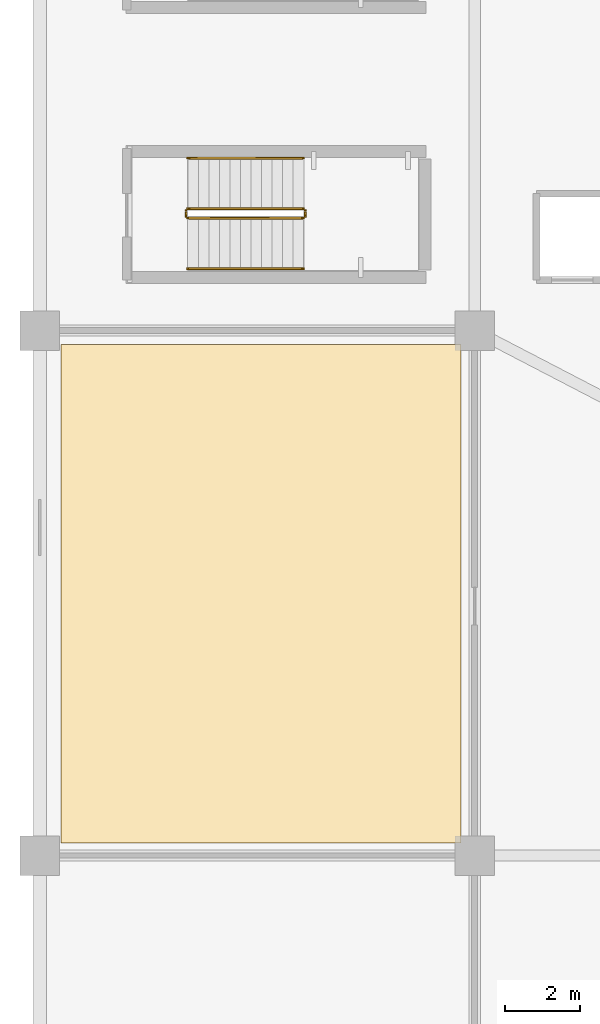
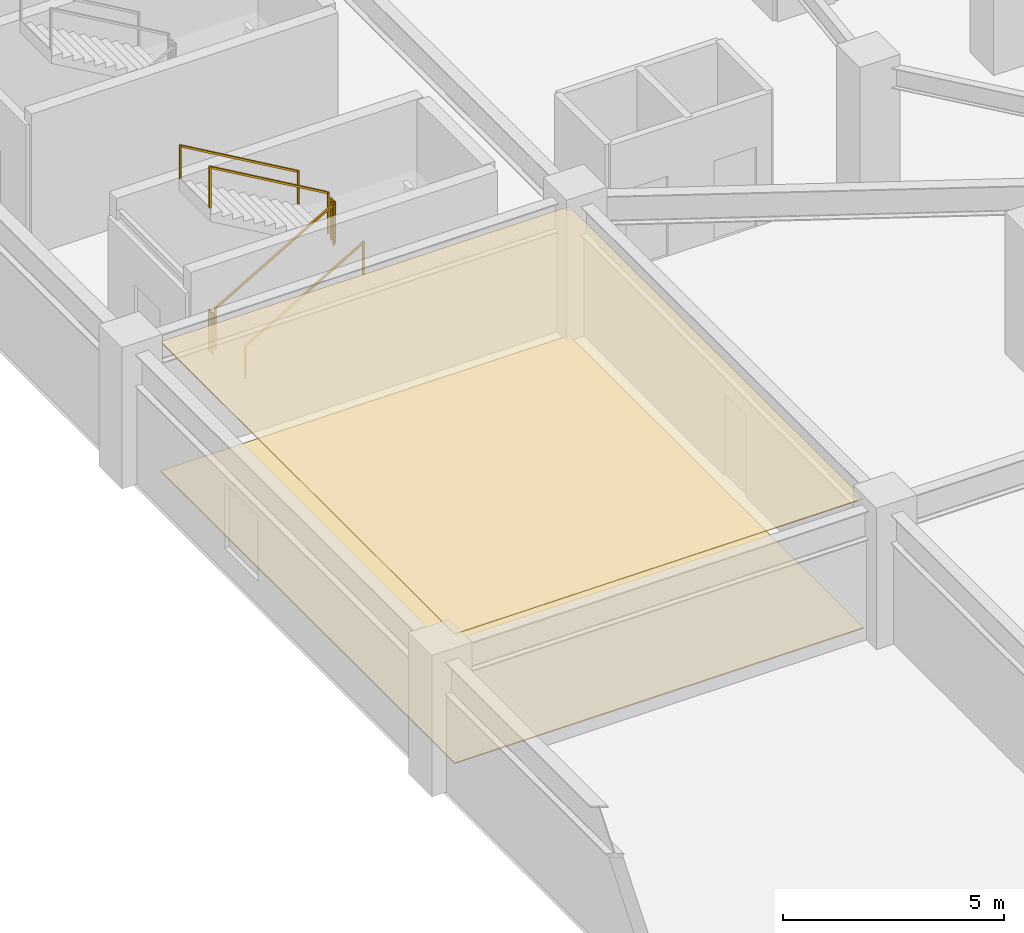
# One storey, part 11 of 15: 6 railings, 2 coverings.
"""IFC4 building model written with IfcOpenShell, lengths in metres."""

from ifc_helpers import new_model, si_unit, direction, frame, origin, origin_2d, place, context, subcontext, project, spatial, polyline, rectangle, outline, extrude, material, layer, layer_set, type_object, element, save


model = new_model("IFC4")

# Units and contexts
model_context = context("Model", 3, precision=1e-05, world=origin(), true_north=direction((0.0, 1.0)))
body_context = subcontext(model_context, "Body", "Model", "MODEL_VIEW")
ifc_project = project(units=[si_unit("LENGTHUNIT", "METRE"), si_unit("AREAUNIT", "SQUARE_METRE"), si_unit("VOLUMEUNIT", "CUBIC_METRE"), si_unit("PLANEANGLEUNIT", "RADIAN"), si_unit("MASSUNIT", "GRAM", prefix="KILO")], contexts=[model_context])

# Site, building, storey
site_placement = place(None, origin())
site = spatial("IfcSite", under=ifc_project, at=site_placement, CompositionType="ELEMENT")
building_placement = place(site_placement, origin())
building = spatial("IfcBuilding", under=site, at=building_placement, Name="Yunling Apex Tower", CompositionType="ELEMENT")
storey_placement = place(building_placement, frame((0.0, 0.0, 8.39990234375)))
storey = spatial("IfcBuildingStorey", under=building, at=storey_placement, Name="L03", CompositionType="ELEMENT", Elevation=8.39990234375)

# Coverings
ifc_material_1 = material(Name="Acoustic mineral fibre ceiling")
ifc_layer_1 = layer(ifc_material_1, 0.02490234375)
ifc_layer_set_1 = layer_set([ifc_layer_1], Name="Acoustic mineral fibre ceiling")
covering_type_1 = type_object("IfcCoveringType", Name="CV-CLG-1", PredefinedType="CEILING", material=ifc_layer_set_1)
covering_1_placement = place(storey_placement, frame((0.0, 0.0, 3.565185546875)))
element("IfcCovering", 1, at=covering_1_placement, inside=storey, type_object=covering_type_1, Name="CV-CL-SP-L03-W2", PredefinedType="CEILING", context=body_context, shape_type="SweptSolid", body=[
    extrude(outline(polyline([(-22.77001953125, 0.340087890625), (-33.429931640625, 0.340087890625), (-33.429931640625, 13.6298828125), (-22.77001953125, 13.6298828125), (-22.77001953125, 0.340087890625)])), origin(), (0.0, 0.0, 1.0), 0.02490234375),
])
ifc_material_2 = material(Name="Polished granite stone", Category="masonry")
ifc_layer_2 = layer(ifc_material_2, 0.030029296875)
ifc_layer_set_2 = layer_set([ifc_layer_2], Name="Polished granite stone")
covering_type_2 = type_object("IfcCoveringType", Name="CV-FLR-1", PredefinedType="FLOORING", material=ifc_layer_set_2)
covering_2_placement = place(storey_placement, origin())
element("IfcCovering", 2, at=covering_2_placement, inside=storey, type_object=covering_type_2, Name="CV-FL-SP-L03-W2", PredefinedType="FLOORING", context=body_context, shape_type="SweptSolid", body=[
    extrude(outline(polyline([(-22.77001953125, 0.340087890625), (-33.429931640625, 0.340087890625), (-33.429931640625, 13.6298828125), (-22.77001953125, 13.6298828125), (-22.77001953125, 0.340087890625)])), origin(), (0.0, 0.0, 1.0), 0.030029296875),
])

# Railings
ifc_material_3 = material(Name="Steel Q355B", Category="steel")
railing_type_1 = type_object("IfcRailingType", Name="RL-GRD-1150", PredefinedType="GUARDRAIL", material=ifc_material_3)
railing_1_placement = place(storey_placement, frame((-30.050048828125, 17.0, 0.16259765625)))
element("IfcRailing", 3, at=railing_1_placement, inside=storey, type_object=railing_type_1, Name="L03 ST-P1 stair guard 1", PredefinedType="GUARDRAIL", context=body_context, shape_type="SweptSolid", body=[
    extrude(rectangle(XDim=0.0439453125, YDim=0.0439453125, at=origin_2d()), origin(), (0.0, 0.0, 1.0), 1.14990234375),
    extrude(rectangle(XDim=0.0439453125, YDim=0.0439453125, at=origin_2d()), frame((3.080078125, 0.0, 1.78759765625)), (0.0, 0.0, 1.0), 1.14990234375),
    extrude(rectangle(XDim=0.050048828125, YDim=0.050048828125, at=origin_2d()), frame((0.033203125, 0.0, 1.14404296875), z_axis=(0.864890721111, 0.0, 0.501960198159), x_axis=(0.0, 1.0, 0.0)), (0.0, 0.0, 1.0), 3.484619140625),
])
railing_2_placement = place(storey_placement, frame((-26.919921875, 17.050048828125, 1.9501953125)))
element("IfcRailing", 4, at=railing_2_placement, inside=storey, type_object=railing_type_1, Name="L03 ST-P1 stair guard 2", PredefinedType="GUARDRAIL", context=body_context, shape_type="SweptSolid", body=[
    extrude(rectangle(XDim=0.0439453125, YDim=0.0439453125, at=origin_2d()), origin(), (0.0, 0.0, 1.0), 1.14990234375),
    extrude(rectangle(XDim=0.0439453125, YDim=0.0439453125, at=origin_2d()), frame((0.0, 0.14990234375, 0.0)), (0.0, 0.0, 1.0), 1.14990234375),
    extrude(rectangle(XDim=0.050048828125, YDim=0.050048828125, at=origin_2d()), frame((0.0, 0.038330078125, 1.125), z_axis=(0.0, 1.0, 0.0), x_axis=(-1.0, 0.0, 0.0)), (0.0, 0.0, 1.0), 0.0732421875),
])
railing_3_placement = place(storey_placement, frame((-26.969970703125, 17.25, 2.112548828125)))
element("IfcRailing", 5, at=railing_3_placement, inside=storey, type_object=railing_type_1, Name="L03 ST-P1 stair guard 3", PredefinedType="GUARDRAIL", context=body_context, shape_type="SweptSolid", body=[
    extrude(rectangle(XDim=0.0439453125, YDim=0.0439453125, at=origin_2d()), origin(), (0.0, 0.0, 1.0), 1.14990234375),
    extrude(rectangle(XDim=0.0439453125, YDim=0.0439453125, at=origin_2d()), frame((-3.080078125, 0.0, 1.78759765625)), (0.0, 0.0, 1.0), 1.14990234375),
    extrude(rectangle(XDim=0.050048828125, YDim=0.050048828125, at=origin_2d()), frame((-0.033203125, 0.0, 1.14404296875), z_axis=(-0.864890721111, 0.0, 0.501960198159), x_axis=(0.0, -1.0, 0.0)), (0.0, 0.0, 1.0), 3.484619140625),
])
railing_4_placement = place(storey_placement, frame((-30.10009765625, 17.050048828125, 0.0)))
element("IfcRailing", 6, at=railing_4_placement, inside=storey, type_object=railing_type_1, Name="L03 ST-P1 stair guard 4", PredefinedType="GUARDRAIL", context=body_context, shape_type="SweptSolid", body=[
    extrude(rectangle(XDim=0.0439453125, YDim=0.0439453125, at=origin_2d()), origin(), (0.0, 0.0, 1.0), 1.14990234375),
    extrude(rectangle(XDim=0.0439453125, YDim=0.0439453125, at=origin_2d()), frame((0.0, 0.14990234375, 0.0)), (0.0, 0.0, 1.0), 1.14990234375),
    extrude(rectangle(XDim=0.050048828125, YDim=0.050048828125, at=origin_2d()), frame((0.0, 0.038330078125, 1.125), z_axis=(0.0, 1.0, 0.0), x_axis=(-1.0, 0.0, 0.0)), (0.0, 0.0, 1.0), 0.0732421875),
])
ifc_material_4 = material(Name="Silver anodised aluminium", Category="aluminium")
railing_type_2 = type_object("IfcRailingType", Name="RL-HND-900", PredefinedType="HANDRAIL", material=ifc_material_4)
railing_5_placement = place(storey_placement, frame((-30.050048828125, 15.64990234375, 0.16259765625)))
element("IfcRailing", 7, at=railing_5_placement, inside=storey, type_object=railing_type_2, Name="L03 ST-P1 stair handrail 1", PredefinedType="HANDRAIL", context=body_context, shape_type="SweptSolid", body=[
    extrude(rectangle(XDim=0.0439453125, YDim=0.0439453125, at=origin_2d()), origin(), (0.0, 0.0, 1.0), 0.919921875),
    extrude(rectangle(XDim=0.0439453125, YDim=0.0439453125, at=origin_2d()), frame((3.080078125, 0.0, 1.78759765625)), (0.0, 0.0, 1.0), 0.919921875),
    extrude(rectangle(XDim=0.050048828125, YDim=0.050048828125, at=origin_2d()), frame((0.033203125, 0.0, 0.9140625), z_axis=(0.864890721111, 0.0, 0.501960198159), x_axis=(0.0, 1.0, 0.0)), (0.0, 0.0, 1.0), 3.484619140625),
])
railing_6_placement = place(storey_placement, frame((-26.969970703125, 18.60009765625, 2.112548828125)))
element("IfcRailing", 8, at=railing_6_placement, inside=storey, type_object=railing_type_2, Name="L03 ST-P1 stair handrail 2", PredefinedType="HANDRAIL", context=body_context, shape_type="SweptSolid", body=[
    extrude(rectangle(XDim=0.0439453125, YDim=0.0439453125, at=origin_2d()), origin(), (0.0, 0.0, 1.0), 0.919921875),
    extrude(rectangle(XDim=0.0439453125, YDim=0.0439453125, at=origin_2d()), frame((-3.080078125, 0.0, 1.78759765625)), (0.0, 0.0, 1.0), 0.919921875),
    extrude(rectangle(XDim=0.050048828125, YDim=0.050048828125, at=origin_2d()), frame((-0.033203125, 0.0, 0.9140625), z_axis=(-0.864890721111, 0.0, 0.501960198159), x_axis=(0.0, -1.0, 0.0)), (0.0, 0.0, 1.0), 3.484619140625),
])

save(model, "model.ifc")
